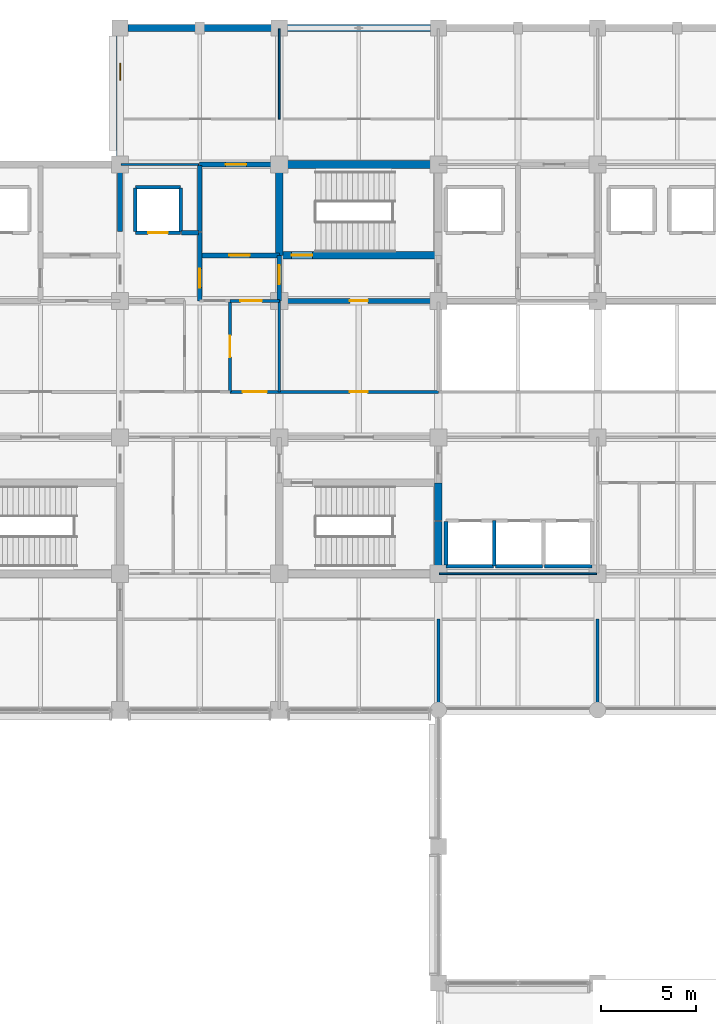
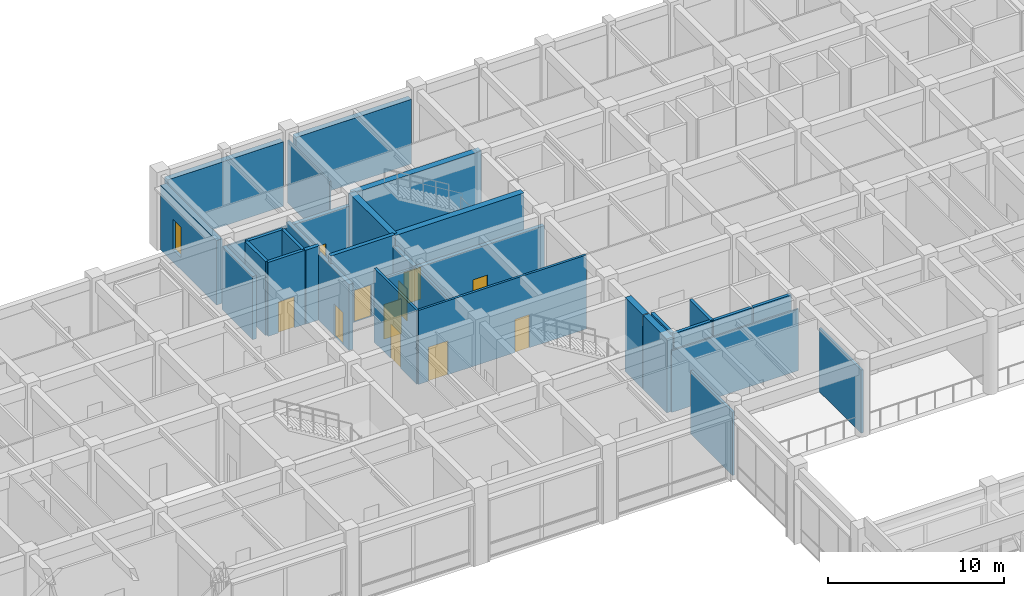
# One storey, part 45 of 68: 34 walls, 11 doors, 1 window, 12 openings.
"""IFC4 building model written with IfcOpenShell, lengths in metres."""

from ifc_helpers import new_model, si_unit, direction, frame, frame_2d, origin, place, context, subcontext, project, spatial, rectangle, extrude, material, layer, layer_set, type_object, element, fill, save


model = new_model("IFC4")

# Units and contexts
model_context = context("Model", 3, precision=1e-05, world=origin(), true_north=direction((0.0, 1.0)))
body_context = subcontext(model_context, "Body", "Model", "MODEL_VIEW")
ifc_project = project(units=[si_unit("LENGTHUNIT", "METRE"), si_unit("AREAUNIT", "SQUARE_METRE"), si_unit("VOLUMEUNIT", "CUBIC_METRE"), si_unit("PLANEANGLEUNIT", "RADIAN"), si_unit("MASSUNIT", "GRAM", prefix="KILO")], contexts=[model_context])

# Site, building, storey
site_placement = place(None, origin())
site = spatial("IfcSite", under=ifc_project, at=site_placement, CompositionType="ELEMENT")
building_placement = place(site_placement, origin())
building = spatial("IfcBuilding", under=site, at=building_placement, Name="Chengyuan Square Courthouse", CompositionType="ELEMENT")
storey_placement = place(building_placement, frame((0.0, 0.0, 5.39990234375)))
storey = spatial("IfcBuildingStorey", under=building, at=storey_placement, Name="L02", CompositionType="ELEMENT", Elevation=5.39990234375)

# Wall
ifc_material_1 = material(Name="Concrete C40", Category="concrete")
ifc_layer_1 = layer(ifc_material_1, 0.3798828125)
ifc_layer_set_1 = layer_set([ifc_layer_1], Name="Concrete C40")
wall_type_1 = type_object("IfcWallType", Name="WL-EW1", PredefinedType="STANDARD", material=ifc_layer_set_1)
wall_1_placement = place(storey_placement, frame((50.820068359375, 115.199951171875, 0.0), z_axis=(0.0, 0.0, 1.0), x_axis=(1.0, 0.0, 0.0)))
element("IfcWall", 1, at=wall_1_placement, inside=storey, type_object=wall_type_1, Name="Exterior Wall WL-L02-E227", PredefinedType="STANDARD", context=body_context, shape_type="SweptSolid", body=[
    extrude(rectangle(XDim=7.559814453125, YDim=0.3798828125, at=frame_2d((3.77978515625, 0.0))), origin(), (0.0, 0.0, 1.0), 4.47021484375),
])

# Wall, opening, window
wall_2_placement = place(storey_placement, frame((50.39990234375, 108.445068359375, 0.0), z_axis=(0.0, 0.0, 1.0), x_axis=(0.0, 1.0, 0.0)))
wall_2 = element("IfcWall", 2, at=wall_2_placement, inside=storey, type_object=wall_type_1, Name="Exterior Wall WL-L02-E228", PredefinedType="STANDARD", context=body_context, shape_type="SweptSolid", body=[
    extrude(rectangle(XDim=6.3349609375, YDim=0.3798828125, at=frame_2d((3.16748046875, 0.0))), origin(), (0.0, 0.0, 1.0), 4.47021484375),
])
opening_1_placement = place(wall_2_placement, frame((4.0048828125, 0.0, 0.85009765625)))
opening_1 = element("IfcOpeningElement", 3, at=opening_1_placement, cuts=wall_2, Name="Opening WN-039", PredefinedType="OPENING", context=body_context, shape_type="SweptSolid", body=[
    extrude(rectangle(XDim=0.89990234375, YDim=2.1201171875, at=frame_2d((0.449951171875, 1.06005859375))), frame((0.0, 0.201904296875, 0.0), z_axis=(0.0, -1.0, 0.0), x_axis=(1.0, 0.0, 0.0)), (0.0, 0.0, 1.0), 0.40380859375),
])
ifc_material_2 = material(Name="Thermally Broken Aluminium Triple Low-E Window", Category="aluminium")
window_type = type_object("IfcWindowType", Name="WT-06", PartitioningType="SINGLE_PANEL", PredefinedType="WINDOW", material=ifc_material_2)
window_placement = place(opening_1_placement, origin())
window = element("IfcWindow", 4, at=window_placement, inside=storey, type_object=window_type, Name="Facade Window WN-039", OverallHeight=2.1201171875, OverallWidth=0.89990234375, PartitioningType="SINGLE_PANEL", PredefinedType="WINDOW", context=body_context, shape_type="SweptSolid", body=[
    extrude(rectangle(XDim=0.89990234375, YDim=2.1201171875, at=frame_2d((0.449951171875, 1.06005859375))), frame((0.0, 0.030029296875, 0.0), z_axis=(0.0, -1.0, 0.0), x_axis=(1.0, 0.0, 0.0)), (0.0, 0.0, 1.0), 0.06005859375),
])
fill(opening_1, window)

# Wall
wall_3_placement = place(storey_placement, frame((59.219970703125, 115.199951171875, 0.0), z_axis=(0.0, 0.0, 1.0), x_axis=(1.0, 0.0, 0.0)))
element("IfcWall", 5, at=wall_3_placement, inside=storey, type_object=wall_type_1, Name="Exterior Wall WL-L02-E229", PredefinedType="STANDARD", context=body_context, shape_type="SweptSolid", body=[
    extrude(rectangle(XDim=7.56005859375, YDim=0.3798828125, at=frame_2d((3.780029296875, 0.0))), origin(), (0.0, 0.0, 1.0), 4.47021484375),
])

# Wall, opening, door
ifc_layer_2 = layer(ifc_material_1, 0.25)
ifc_layer_set_2 = layer_set([ifc_layer_2], Name="Concrete C40")
wall_type_2 = type_object("IfcWallType", Name="WL-FW1", PredefinedType="STANDARD", material=ifc_layer_set_2)
wall_4_placement = place(storey_placement, frame((58.800048828125, 100.800048828125, 0.0), z_axis=(0.0, 0.0, 1.0), x_axis=(1.0, 0.0, 0.0)))
wall_4 = element("IfcWall", 6, at=wall_4_placement, inside=storey, type_object=wall_type_2, Name="Interior Wall WL-L02-I1135", PredefinedType="STANDARD", context=body_context, shape_type="SweptSolid", body=[
    extrude(rectangle(XDim=8.39990234375, YDim=0.25, at=frame_2d((4.199951171875, 0.0))), origin(), (0.0, 0.0, 1.0), 4.27001953125),
])
opening_2_placement = place(wall_4_placement, frame((3.72509765625, 0.0, 0.0)))
opening_2 = element("IfcOpeningElement", 7, at=opening_2_placement, cuts=wall_4, Name="Opening DR-1011", PredefinedType="OPENING", context=body_context, shape_type="SweptSolid", body=[
    extrude(rectangle(XDim=0.949951171875, YDim=2.14990234375, at=frame_2d((0.47509765625, 1.074951171875))), frame((0.0, 0.136962890625, 0.0), z_axis=(0.0, -1.0, 0.0), x_axis=(1.0, 0.0, 0.0)), (0.0, 0.0, 1.0), 0.27392578125),
])
ifc_material_3 = material(Name="Steel Q235B Fire Door", Category="steel")
door_type_1 = type_object("IfcDoorType", Name="DT-12", OperationType="NOTDEFINED", PredefinedType="DOOR", material=ifc_material_3)
door_1_placement = place(opening_2_placement, origin())
door_1 = element("IfcDoor", 8, at=door_1_placement, inside=storey, type_object=door_type_1, Name="Interior Door DR-1011", OperationType="SINGLE_SWING_LEFT", OverallHeight=2.14990234375, OverallWidth=0.949951171875, PredefinedType="DOOR", context=body_context, shape_type="SweptSolid", body=[
    extrude(rectangle(XDim=0.949951171875, YDim=2.14990234375, at=frame_2d((0.47509765625, 1.074951171875))), frame((0.0, 0.02490234375, 0.0), z_axis=(0.0, -1.0, 0.0), x_axis=(1.0, 0.0, 0.0)), (0.0, 0.0, 1.0), 0.050048828125),
])
fill(opening_2, door_1)

wall_5_placement = place(storey_placement, frame((54.60009765625, 103.199951171875, 0.0), z_axis=(0.0, 0.0, 1.0), x_axis=(1.0, 0.0, 0.0)))
wall_5 = element("IfcWall", 9, at=wall_5_placement, inside=storey, type_object=wall_type_2, Name="Interior Wall WL-L02-I1154", PredefinedType="STANDARD", context=body_context, shape_type="SweptSolid", body=[
    extrude(rectangle(XDim=4.199951171875, YDim=0.25, at=frame_2d((2.10009765625, 0.0))), origin(), (0.0, 0.0, 1.0), 5.1201171875),
])
opening_3_placement = place(wall_5_placement, frame((1.550048828125, 0.0, 0.0)))
opening_3 = element("IfcOpeningElement", 10, at=opening_3_placement, cuts=wall_5, Name="Opening DR-1066", PredefinedType="OPENING", context=body_context, shape_type="SweptSolid", body=[
    extrude(rectangle(XDim=1.10009765625, YDim=2.199951171875, at=frame_2d((0.550048828125, 1.10009765625))), frame((0.0, 0.136962890625, 0.0), z_axis=(0.0, -1.0, 0.0), x_axis=(1.0, 0.0, 0.0)), (0.0, 0.0, 1.0), 0.27392578125),
])
door_type_2 = type_object("IfcDoorType", Name="DT-10", OperationType="NOTDEFINED", PredefinedType="DOOR", material=ifc_material_3)
door_2_placement = place(opening_3_placement, origin())
door_2 = element("IfcDoor", 11, at=door_2_placement, inside=storey, type_object=door_type_2, Name="Interior Door DR-1066", OperationType="SINGLE_SWING_LEFT", OverallHeight=2.199951171875, OverallWidth=1.10009765625, PredefinedType="DOOR", context=body_context, shape_type="SweptSolid", body=[
    extrude(rectangle(XDim=1.10009765625, YDim=2.199951171875, at=frame_2d((0.550048828125, 1.10009765625))), frame((0.0, 0.02490234375, 0.0), z_axis=(0.0, -1.0, 0.0), x_axis=(1.0, 0.0, 0.0)), (0.0, 0.0, 1.0), 0.050048828125),
])
fill(opening_3, door_2)

# Wall
wall_6_placement = place(storey_placement, frame((53.64990234375, 104.39990234375, 0.0), z_axis=(0.0, 0.0, 1.0), x_axis=(1.0, 0.0, 0.0)))
element("IfcWall", 12, at=wall_6_placement, inside=storey, type_object=wall_type_2, Name="Interior Wall WL-L02-I1164", PredefinedType="STANDARD", context=body_context, shape_type="SweptSolid", body=[
    extrude(rectangle(XDim=0.900146484375, YDim=0.25, at=frame_2d((0.4501953125, 0.0))), origin(), (0.0, 0.0, 1.0), 5.1201171875),
])

# Wall, opening, door
wall_7_placement = place(storey_placement, frame((54.60009765625, 108.0, 0.0), z_axis=(0.0, 0.0, 1.0), x_axis=(1.0, 0.0, 0.0)))
wall_7 = element("IfcWall", 13, at=wall_7_placement, inside=storey, type_object=wall_type_2, Name="Interior Wall WL-L02-I1186", PredefinedType="STANDARD", context=body_context, shape_type="SweptSolid", body=[
    extrude(rectangle(XDim=4.199951171875, YDim=0.25, at=frame_2d((2.10009765625, 0.0))), origin(), (0.0, 0.0, 1.0), 4.27001953125),
])
opening_4_placement = place(wall_7_placement, frame((1.364990234375, 0.0, 0.0)))
opening_4 = element("IfcOpeningElement", 14, at=opening_4_placement, cuts=wall_7, Name="Opening DR-1069", PredefinedType="OPENING", context=body_context, shape_type="SweptSolid", body=[
    extrude(rectangle(XDim=1.10009765625, YDim=2.199951171875, at=frame_2d((0.550048828125, 1.10009765625))), frame((0.0, 0.136962890625, 0.0), z_axis=(0.0, -1.0, 0.0), x_axis=(1.0, 0.0, 0.0)), (0.0, 0.0, 1.0), 0.27392578125),
])
door_3_placement = place(opening_4_placement, origin())
door_3 = element("IfcDoor", 15, at=door_3_placement, inside=storey, type_object=door_type_2, Name="Interior Door DR-1069", OperationType="SINGLE_SWING_RIGHT", OverallHeight=2.199951171875, OverallWidth=1.10009765625, PredefinedType="DOOR", context=body_context, shape_type="SweptSolid", body=[
    extrude(rectangle(XDim=1.10009765625, YDim=2.199951171875, at=frame_2d((0.550048828125, 1.10009765625))), frame((0.0, 0.02490234375, 0.0), z_axis=(0.0, -1.0, 0.0), x_axis=(1.0, 0.0, 0.0)), (0.0, 0.0, 1.0), 0.050048828125),
])
fill(opening_4, door_3)

# Wall
wall_8_placement = place(storey_placement, frame((50.39990234375, 104.449951171875, 0.0), z_axis=(0.0, 0.0, 1.0), x_axis=(0.0, 1.0, 0.0)))
element("IfcWall", 16, at=wall_8_placement, inside=storey, type_object=wall_type_2, Name="Interior Wall WL-L02-I1246", PredefinedType="STANDARD", context=body_context, shape_type="SweptSolid", body=[
    extrude(rectangle(XDim=3.4599609375, YDim=0.25, at=frame_2d((1.72998046875, 0.0))), origin(), (0.0, 0.0, 1.0), 4.3701171875),
])

# Wall, opening, door
wall_9_placement = place(storey_placement, frame((54.60009765625, 100.800048828125, 0.0), z_axis=(0.0, 0.0, 1.0), x_axis=(0.0, 1.0, 0.0)))
wall_9 = element("IfcWall", 17, at=wall_9_placement, inside=storey, type_object=wall_type_2, Name="Interior Wall WL-L02-I1251", PredefinedType="STANDARD", context=body_context, shape_type="SweptSolid", body=[
    extrude(rectangle(XDim=3.599853515625, YDim=0.25, at=frame_2d((1.7998046875, 0.0))), origin(), (0.0, 0.0, 1.0), 4.570068359375),
])
opening_5_placement = place(wall_9_placement, frame((0.699951171875, 0.0, 0.0)))
opening_5 = element("IfcOpeningElement", 18, at=opening_5_placement, cuts=wall_9, Name="Opening DR-1064", PredefinedType="OPENING", context=body_context, shape_type="SweptSolid", body=[
    extrude(rectangle(XDim=1.0, YDim=2.199951171875, at=frame_2d((0.5, 1.10009765625))), frame((0.0, 0.136962890625, 0.0), z_axis=(0.0, -1.0, 0.0), x_axis=(1.0, 0.0, 0.0)), (0.0, 0.0, 1.0), 0.27392578125),
])
door_type_3 = type_object("IfcDoorType", Name="DT-11", OperationType="NOTDEFINED", PredefinedType="DOOR", material=ifc_material_3)
door_4_placement = place(opening_5_placement, origin())
door_4 = element("IfcDoor", 19, at=door_4_placement, inside=storey, type_object=door_type_3, Name="Interior Door DR-1064", OperationType="SINGLE_SWING_LEFT", OverallHeight=2.199951171875, OverallWidth=1.0, PredefinedType="DOOR", context=body_context, shape_type="SweptSolid", body=[
    extrude(rectangle(XDim=1.0, YDim=2.199951171875, at=frame_2d((0.5, 1.10009765625))), frame((0.0, 0.02490234375, 0.0), z_axis=(0.0, -1.0, 0.0), x_axis=(1.0, 0.0, 0.0)), (0.0, 0.0, 1.0), 0.050048828125),
])
fill(opening_5, door_4)

# Wall
wall_10_placement = place(storey_placement, frame((54.60009765625, 104.449951171875, 0.0), z_axis=(0.0, 0.0, 1.0), x_axis=(0.0, 1.0, 0.0)))
element("IfcWall", 20, at=wall_10_placement, inside=storey, type_object=wall_type_2, Name="Interior Wall WL-L02-I1252", PredefinedType="STANDARD", context=body_context, shape_type="SweptSolid", body=[
    extrude(rectangle(XDim=3.5, YDim=0.25, at=frame_2d((1.75, 0.0))), origin(), (0.0, 0.0, 1.0), 4.570068359375),
])

# Wall, opening, door
wall_11_placement = place(storey_placement, frame((58.800048828125, 100.800048828125, 0.0), z_axis=(0.0, 0.0, 1.0), x_axis=(0.0, 1.0, 0.0)))
wall_11 = element("IfcWall", 21, at=wall_11_placement, inside=storey, type_object=wall_type_2, Name="Interior Wall WL-L02-I1259", PredefinedType="STANDARD", context=body_context, shape_type="SweptSolid", body=[
    extrude(rectangle(XDim=2.39990234375, YDim=0.25, at=frame_2d((1.199951171875, 0.0))), origin(), (0.0, 0.0, 1.0), 4.3701171875),
])
opening_6_placement = place(wall_11_placement, frame((0.885009765625, 0.0, 0.0)))
opening_6 = element("IfcOpeningElement", 22, at=opening_6_placement, cuts=wall_11, Name="Opening DR-1010", PredefinedType="OPENING", context=body_context, shape_type="SweptSolid", body=[
    extrude(rectangle(XDim=1.0, YDim=2.199951171875, at=frame_2d((0.5, 1.10009765625))), frame((0.0, 0.136962890625, 0.0), z_axis=(0.0, -1.0, 0.0), x_axis=(1.0, 0.0, 0.0)), (0.0, 0.0, 1.0), 0.27392578125),
])
door_5_placement = place(opening_6_placement, origin())
door_5 = element("IfcDoor", 23, at=door_5_placement, inside=storey, type_object=door_type_3, Name="Interior Door DR-1010", OperationType="SINGLE_SWING_RIGHT", OverallHeight=2.199951171875, OverallWidth=1.0, PredefinedType="DOOR", context=body_context, shape_type="SweptSolid", body=[
    extrude(rectangle(XDim=1.0, YDim=2.199951171875, at=frame_2d((0.5, 1.10009765625))), frame((0.0, 0.02490234375, 0.0), z_axis=(0.0, -1.0, 0.0), x_axis=(1.0, 0.0, 0.0)), (0.0, 0.0, 1.0), 0.050048828125),
])
fill(opening_6, door_5)

# Wall, openings, doors
ifc_material_4 = material(Name="Deliberation Room Sound-Insulated Partition")
ifc_layer_3 = layer(ifc_material_4, 0.14990234375)
ifc_layer_set_3 = layer_set([ifc_layer_3], Name="Deliberation Room Sound-Insulated Partition")
wall_type_3 = type_object("IfcWallType", Name="WL-PT3", PredefinedType="STANDARD", material=ifc_layer_set_3)
wall_12_placement = place(storey_placement, frame((56.199951171875, 96.0, 0.0), z_axis=(0.0, 0.0, 1.0), x_axis=(1.0, 0.0, 0.0)))
wall_12 = element("IfcWall", 24, at=wall_12_placement, inside=storey, type_object=wall_type_3, Name="Interior Wall WL-L02-I1116", PredefinedType="STANDARD", context=body_context, shape_type="SweptSolid", body=[
    extrude(rectangle(XDim=11.0, YDim=0.14990234375, at=frame_2d((5.5, 0.0))), origin(), (0.0, 0.0, 1.0), 5.1201171875),
])
opening_7_placement = place(wall_12_placement, frame((0.659912109375, 0.0, 0.0)))
opening_7 = element("IfcOpeningElement", 25, at=opening_7_placement, cuts=wall_12, Name="Opening DR-1131", PredefinedType="OPENING", context=body_context, shape_type="SweptSolid", body=[
    extrude(rectangle(XDim=1.280029296875, YDim=2.35009765625, at=frame_2d((0.64013671875, 1.175048828125))), frame((0.0, 0.0869140625, 0.0), z_axis=(0.0, -1.0, 0.0), x_axis=(1.0, 0.0, 0.0)), (0.0, 0.0, 1.0), 0.173828125),
])
opening_8_placement = place(wall_12_placement, frame((6.330078125, 0.0, 0.0)))
opening_8 = element("IfcOpeningElement", 26, at=opening_8_placement, cuts=wall_12, Name="Opening DR-1132", PredefinedType="OPENING", context=body_context, shape_type="SweptSolid", body=[
    extrude(rectangle(XDim=0.93994140625, YDim=2.300048828125, at=frame_2d((0.469970703125, 1.14990234375))), frame((0.0, 0.0869140625, 0.0), z_axis=(0.0, -1.0, 0.0), x_axis=(1.0, 0.0, 0.0)), (0.0, 0.0, 1.0), 0.173828125),
])
ifc_material_5 = material(Name="Acoustic Solid-Core Timber Door", Category="wood")
door_type_4 = type_object("IfcDoorType", Name="DT-38", OperationType="NOTDEFINED", PredefinedType="DOOR", material=ifc_material_5)
door_6_placement = place(opening_7_placement, origin())
door_6 = element("IfcDoor", 27, at=door_6_placement, inside=storey, type_object=door_type_4, Name="Interior Door DR-1131", OperationType="SINGLE_SWING_LEFT", OverallHeight=2.35009765625, OverallWidth=1.280029296875, PredefinedType="DOOR", context=body_context, shape_type="SweptSolid", body=[
    extrude(rectangle(XDim=1.280029296875, YDim=2.35009765625, at=frame_2d((0.64013671875, 1.175048828125))), frame((0.0, 0.02490234375, 0.0), z_axis=(0.0, -1.0, 0.0), x_axis=(1.0, 0.0, 0.0)), (0.0, 0.0, 1.0), 0.050048828125),
])
fill(opening_7, door_6)
door_type_5 = type_object("IfcDoorType", Name="DT-39", OperationType="NOTDEFINED", PredefinedType="DOOR", material=ifc_material_5)
door_7_placement = place(opening_8_placement, origin())
door_7 = element("IfcDoor", 28, at=door_7_placement, inside=storey, type_object=door_type_5, Name="Interior Door DR-1132", OperationType="SINGLE_SWING_RIGHT", OverallHeight=2.300048828125, OverallWidth=0.93994140625, PredefinedType="DOOR", context=body_context, shape_type="SweptSolid", body=[
    extrude(rectangle(XDim=0.93994140625, YDim=2.300048828125, at=frame_2d((0.469970703125, 1.14990234375))), frame((0.0, 0.02490234375, 0.0), z_axis=(0.0, -1.0, 0.0), x_axis=(1.0, 0.0, 0.0)), (0.0, 0.0, 1.0), 0.050048828125),
])
fill(opening_8, door_7)

# Wall, opening, door
wall_13_placement = place(storey_placement, frame((56.199951171875, 100.800048828125, 0.0), z_axis=(0.0, 0.0, 1.0), x_axis=(1.0, 0.0, 0.0)))
wall_13 = element("IfcWall", 29, at=wall_13_placement, inside=storey, type_object=wall_type_3, Name="Interior Wall WL-L02-I1134", PredefinedType="STANDARD", context=body_context, shape_type="SweptSolid", body=[
    extrude(rectangle(XDim=2.60009765625, YDim=0.14990234375, at=frame_2d((1.300048828125, 0.0))), origin(), (0.0, 0.0, 1.0), 4.27001953125),
])
opening_9_placement = place(wall_13_placement, frame((0.544921875, 0.0, 0.0)))
opening_9 = element("IfcOpeningElement", 30, at=opening_9_placement, cuts=wall_13, Name="Opening DR-1068", PredefinedType="OPENING", context=body_context, shape_type="SweptSolid", body=[
    extrude(rectangle(XDim=1.139892578125, YDim=2.39990234375, at=frame_2d((0.56982421875, 1.199951171875))), frame((0.0, 0.0869140625, 0.0), z_axis=(0.0, -1.0, 0.0), x_axis=(1.0, 0.0, 0.0)), (0.0, 0.0, 1.0), 0.173828125),
])
door_type_6 = type_object("IfcDoorType", Name="DT-43", OperationType="NOTDEFINED", PredefinedType="DOOR", material=ifc_material_5)
door_8_placement = place(opening_9_placement, origin())
door_8 = element("IfcDoor", 31, at=door_8_placement, inside=storey, type_object=door_type_6, Name="Interior Door DR-1068", OperationType="SINGLE_SWING_LEFT", OverallHeight=2.39990234375, OverallWidth=1.139892578125, PredefinedType="DOOR", context=body_context, shape_type="SweptSolid", body=[
    extrude(rectangle(XDim=1.139892578125, YDim=2.39990234375, at=frame_2d((0.56982421875, 1.199951171875))), frame((0.0, 0.02490234375, 0.0), z_axis=(0.0, -1.0, 0.0), x_axis=(1.0, 0.0, 0.0)), (0.0, 0.0, 1.0), 0.050048828125),
])
fill(opening_9, door_8)

wall_14_placement = place(storey_placement, frame((56.199951171875, 96.0, 0.0), z_axis=(0.0, 0.0, 1.0), x_axis=(0.0, 1.0, 0.0)))
wall_14 = element("IfcWall", 32, at=wall_14_placement, inside=storey, type_object=wall_type_3, Name="Interior Wall WL-L02-I1254", PredefinedType="STANDARD", context=body_context, shape_type="SweptSolid", body=[
    extrude(rectangle(XDim=4.800048828125, YDim=0.14990234375, at=frame_2d((2.39990234375, 0.0))), origin(), (0.0, 0.0, 1.0), 5.1201171875),
])
opening_10_placement = place(wall_14_placement, frame((1.830078125, 0.0, 0.0)))
opening_10 = element("IfcOpeningElement", 33, at=opening_10_placement, cuts=wall_14, Name="Opening DR-1170", PredefinedType="OPENING", context=body_context, shape_type="SweptSolid", body=[
    extrude(rectangle(XDim=1.139892578125, YDim=2.39990234375, at=frame_2d((0.56982421875, 1.199951171875))), frame((0.0, 0.0869140625, 0.0), z_axis=(0.0, -1.0, 0.0), x_axis=(1.0, 0.0, 0.0)), (0.0, 0.0, 1.0), 0.173828125),
])
door_9_placement = place(opening_10_placement, origin())
door_9 = element("IfcDoor", 34, at=door_9_placement, inside=storey, type_object=door_type_6, Name="Interior Door DR-1170", OperationType="SINGLE_SWING_LEFT", OverallHeight=2.39990234375, OverallWidth=1.139892578125, PredefinedType="DOOR", context=body_context, shape_type="SweptSolid", body=[
    extrude(rectangle(XDim=1.139892578125, YDim=2.39990234375, at=frame_2d((0.56982421875, 1.199951171875))), frame((0.0, 0.02490234375, 0.0), z_axis=(0.0, -1.0, 0.0), x_axis=(1.0, 0.0, 0.0)), (0.0, 0.0, 1.0), 0.050048828125),
])
fill(opening_10, door_9)

# Walls
wall_15_placement = place(storey_placement, frame((58.800048828125, 96.0, 0.0), z_axis=(0.0, 0.0, 1.0), x_axis=(0.0, 1.0, 0.0)))
element("IfcWall", 35, at=wall_15_placement, inside=storey, type_object=wall_type_3, Name="Interior Wall WL-L02-I1258", PredefinedType="STANDARD", context=body_context, shape_type="SweptSolid", body=[
    extrude(rectangle(XDim=4.800048828125, YDim=0.14990234375, at=frame_2d((2.39990234375, 0.0))), origin(), (0.0, 0.0, 1.0), 4.3701171875),
])
wall_16_placement = place(storey_placement, frame((67.199951171875, 79.239990234375, 0.0), z_axis=(0.0, 0.0, 1.0), x_axis=(0.0, 1.0, 0.0)))
element("IfcWall", 36, at=wall_16_placement, inside=storey, type_object=wall_type_3, Name="Interior Wall WL-L02-I1262", PredefinedType="STANDARD", context=body_context, shape_type="SweptSolid", body=[
    extrude(rectangle(XDim=4.760009765625, YDim=0.14990234375, at=frame_2d((2.3798828125, 0.0))), origin(), (0.0, 0.0, 1.0), 4.3701171875),
])
wall_17_placement = place(storey_placement, frame((75.60009765625, 79.199951171875, 0.0), z_axis=(0.0, 0.0, 1.0), x_axis=(0.0, 1.0, 0.0)))
element("IfcWall", 37, at=wall_17_placement, inside=storey, type_object=wall_type_3, Name="Interior Wall WL-L02-I1279", PredefinedType="STANDARD", context=body_context, shape_type="SweptSolid", body=[
    extrude(rectangle(XDim=4.800048828125, YDim=0.14990234375, at=frame_2d((2.39990234375, 0.0))), origin(), (0.0, 0.0, 1.0), 4.3701171875),
])
ifc_material_6 = material(Name="Gypsum Plasterboard Acoustic Stud Partition")
ifc_layer_4 = layer(ifc_material_6, 0.10009765625)
ifc_layer_set_4 = layer_set([ifc_layer_4], Name="Gypsum Plasterboard Acoustic Stud Partition")
wall_type_4 = type_object("IfcWallType", Name="WL-PT6", PredefinedType="STANDARD", material=ifc_layer_set_4)
wall_18_placement = place(storey_placement, frame((67.25, 86.39990234375, 0.0), z_axis=(0.0, 0.0, 1.0), x_axis=(1.0, 0.0, 0.0)))
element("IfcWall", 38, at=wall_18_placement, inside=storey, type_object=wall_type_4, Name="Interior Wall WL-L02-I1073", PredefinedType="STANDARD", context=body_context, shape_type="SweptSolid", body=[
    extrude(rectangle(XDim=8.300048828125, YDim=0.10009765625, at=frame_2d((4.14990234375, 0.0))), origin(), (0.0, 0.0, 1.0), 4.27001953125),
])
wall_19_placement = place(storey_placement, frame((50.449951171875, 108.0, 0.0), z_axis=(0.0, 0.0, 1.0), x_axis=(1.0, 0.0, 0.0)))
element("IfcWall", 39, at=wall_19_placement, inside=storey, type_object=wall_type_4, Name="Interior Wall WL-L02-I1185", PredefinedType="STANDARD", context=body_context, shape_type="SweptSolid", body=[
    extrude(rectangle(XDim=4.10009765625, YDim=0.10009765625, at=frame_2d((2.050048828125, 0.0))), origin(), (0.0, 0.0, 1.0), 4.27001953125),
])
wall_20_placement = place(storey_placement, frame((58.800048828125, 110.39990234375, 0.0), z_axis=(0.0, 0.0, 1.0), x_axis=(0.0, 1.0, 0.0)))
element("IfcWall", 40, at=wall_20_placement, inside=storey, type_object=wall_type_4, Name="Interior Wall WL-L02-I1261", PredefinedType="STANDARD", context=body_context, shape_type="SweptSolid", body=[
    extrude(rectangle(XDim=4.760009765625, YDim=0.10009765625, at=frame_2d((2.3798828125, 0.0))), origin(), (0.0, 0.0, 1.0), 4.3701171875),
])
ifc_material_7 = material(Name="Reinforced Masonry Shaft Enclosure", Category="masonry")
ifc_layer_5 = layer(ifc_material_7, 0.199951171875)
ifc_layer_set_5 = layer_set([ifc_layer_5], Name="Reinforced Masonry Shaft Enclosure")
wall_type_5 = type_object("IfcWallType", Name="WL-SH1", PredefinedType="STANDARD", material=ifc_layer_set_5)
for number, where, z_axis, x_axis, name in (
    (41, (67.60009765625, 86.800048828125, 0.0), (0.0, 0.0, 1.0), (1.0, 0.0, 0.0), "Interior Wall WL-L02-I1083"),
    (42, (70.199951171875, 86.800048828125, 0.0), (0.0, 0.0, 1.0), (1.0, 0.0, 0.0), "Interior Wall WL-L02-I1084"),
    (43, (72.800048828125, 86.800048828125, 0.0), (0.0, 0.0, 1.0), (1.0, 0.0, 0.0), "Interior Wall WL-L02-I1085"),
):
    element("IfcWall", number, at=place(storey_placement, frame(where, z_axis=z_axis, x_axis=x_axis)), inside=storey, type_object=wall_type_5, Name=name, PredefinedType="STANDARD", context=body_context, shape_type="SweptSolid", body=[
        extrude(rectangle(XDim=2.5, YDim=0.199951171875, at=frame_2d((1.25, 0.0))), origin(), (0.0, 0.0, 1.0), 5.1201171875),
    ])

# Wall, opening, door
wall_21_placement = place(storey_placement, frame((51.199951171875, 104.39990234375, 0.0), z_axis=(0.0, 0.0, 1.0), x_axis=(1.0, 0.0, 0.0)))
wall_21 = element("IfcWall", 44, at=wall_21_placement, inside=storey, type_object=wall_type_5, Name="Interior Wall WL-L02-I1163", PredefinedType="STANDARD", context=body_context, shape_type="SweptSolid", body=[
    extrude(rectangle(XDim=2.400146484375, YDim=0.199951171875, at=frame_2d((1.2001953125, 0.0))), origin(), (0.0, 0.0, 1.0), 5.1201171875),
])
opening_11_placement = place(wall_21_placement, frame((0.675048828125, 0.0, 0.0)))
opening_11 = element("IfcOpeningElement", 45, at=opening_11_placement, cuts=wall_21, Name="Opening LD-051", PredefinedType="OPENING", context=body_context, shape_type="SweptSolid", body=[
    extrude(rectangle(XDim=1.050048828125, YDim=2.14990234375, at=frame_2d((0.52490234375, 1.074951171875))), frame((0.0, 0.112060546875, 0.0), z_axis=(0.0, -1.0, 0.0), x_axis=(1.0, 0.0, 0.0)), (0.0, 0.0, 1.0), 0.223876953125),
])
ifc_material_8 = material(Name="Stainless Steel S30408 Lift Landing Door", Category="steel")
door_type_7 = type_object("IfcDoorType", Name="DT-08", OperationType="DOUBLE_DOOR_SLIDING", PredefinedType="DOOR", material=ifc_material_8)
door_10_placement = place(opening_11_placement, origin())
door_10 = element("IfcDoor", 46, at=door_10_placement, inside=storey, type_object=door_type_7, Name="Lift Landing Door LF-C1 L02", OperationType="DOUBLE_DOOR_SLIDING", OverallHeight=2.14990234375, OverallWidth=1.050048828125, PredefinedType="DOOR", context=body_context, shape_type="SweptSolid", body=[
    extrude(rectangle(XDim=1.050048828125, YDim=2.14990234375, at=frame_2d((0.52490234375, 1.074951171875))), frame((0.0, 0.02490234375, 0.0), z_axis=(0.0, -1.0, 0.0), x_axis=(1.0, 0.0, 0.0)), (0.0, 0.0, 1.0), 0.050048828125),
])
fill(opening_11, door_10)

# Walls
wall_22_placement = place(storey_placement, frame((51.199951171875, 106.800048828125, 0.0), z_axis=(0.0, 0.0, 1.0), x_axis=(1.0, 0.0, 0.0)))
element("IfcWall", 47, at=wall_22_placement, inside=storey, type_object=wall_type_5, Name="Interior Wall WL-L02-I1176", PredefinedType="STANDARD", context=body_context, shape_type="SweptSolid", body=[
    extrude(rectangle(XDim=2.400146484375, YDim=0.199951171875, at=frame_2d((1.2001953125, 0.0))), origin(), (0.0, 0.0, 1.0), 5.1201171875),
])
for number, where, z_axis, x_axis, name in (
    (48, (51.199951171875, 104.449951171875, 0.0), (0.0, 0.0, 1.0), (0.0, 1.0, 0.0), "Interior Wall WL-L02-I1247"),
    (49, (53.60009765625, 104.449951171875, 0.0), (0.0, 0.0, 1.0), (0.0, 1.0, 0.0), "Interior Wall WL-L02-I1249"),
):
    element("IfcWall", number, at=place(storey_placement, frame(where, z_axis=z_axis, x_axis=x_axis)), inside=storey, type_object=wall_type_5, Name=name, PredefinedType="STANDARD", context=body_context, shape_type="SweptSolid", body=[
        extrude(rectangle(XDim=2.300048828125, YDim=0.199951171875, at=frame_2d((1.14990234375, 0.0))), origin(), (0.0, 0.0, 1.0), 5.1201171875),
    ])
wall_23_placement = place(storey_placement, frame((67.60009765625, 86.85009765625, 0.0), z_axis=(0.0, 0.0, 1.0), x_axis=(0.0, 1.0, 0.0)))
element("IfcWall", 50, at=wall_23_placement, inside=storey, type_object=wall_type_5, Name="Interior Wall WL-L02-I1271", PredefinedType="STANDARD", context=body_context, shape_type="SweptSolid", body=[
    extrude(rectangle(XDim=2.2998046875, YDim=0.199951171875, at=frame_2d((1.14990234375, 0.0))), origin(), (0.0, 0.0, 1.0), 5.1201171875),
])
wall_24_placement = place(storey_placement, frame((70.14990234375, 86.800048828125, 0.0), z_axis=(0.0, 0.0, 1.0), x_axis=(0.0, 1.0, 0.0)))
element("IfcWall", 51, at=wall_24_placement, inside=storey, type_object=wall_type_5, Name="Interior Wall WL-L02-I1273", PredefinedType="STANDARD", context=body_context, shape_type="SweptSolid", body=[
    extrude(rectangle(XDim=2.39990234375, YDim=0.199951171875, at=frame_2d((1.199951171875, 0.0))), origin(), (0.0, 0.0, 1.0), 5.1201171875),
])

# Wall, opening, door
ifc_material_9 = material(Name="Concrete C50", Category="concrete")
ifc_layer_6 = layer(ifc_material_9, 0.39990234375)
ifc_layer_set_6 = layer_set([ifc_layer_6], Name="Concrete C50")
wall_type_6 = type_object("IfcWallType", Name="WL-SW1", PredefinedType="SHEAR", material=ifc_layer_set_6)
wall_25_placement = place(storey_placement, frame((58.800048828125, 103.199951171875, 0.0), z_axis=(0.0, 0.0, 1.0), x_axis=(1.0, 0.0, 0.0)))
wall_25 = element("IfcWall", 52, at=wall_25_placement, inside=storey, type_object=wall_type_6, Name="Interior Wall WL-L02-I1155", PredefinedType="SHEAR", context=body_context, shape_type="SweptSolid", body=[
    extrude(rectangle(XDim=8.39990234375, YDim=0.39990234375, at=frame_2d((4.199951171875, 0.0))), origin(), (0.0, 0.0, 1.0), 5.1201171875),
])
opening_12_placement = place(wall_25_placement, frame((0.64990234375, 0.0, 0.0)))
opening_12 = element("IfcOpeningElement", 53, at=opening_12_placement, cuts=wall_25, Name="Opening DR-999", PredefinedType="OPENING", context=body_context, shape_type="SweptSolid", body=[
    extrude(rectangle(XDim=1.10009765625, YDim=2.199951171875, at=frame_2d((0.550048828125, 1.10009765625))), frame((0.0, 0.2119140625, 0.0), z_axis=(0.0, -1.0, 0.0), x_axis=(1.0, 0.0, 0.0)), (0.0, 0.0, 1.0), 0.423828125),
])
door_11_placement = place(opening_12_placement, origin())
door_11 = element("IfcDoor", 54, at=door_11_placement, inside=storey, type_object=door_type_2, Name="Smoke-Proof Stairwell Fire Door ST-1 DR-999", OperationType="SINGLE_SWING_LEFT", OverallHeight=2.199951171875, OverallWidth=1.10009765625, PredefinedType="DOOR", context=body_context, shape_type="SweptSolid", body=[
    extrude(rectangle(XDim=1.10009765625, YDim=2.199951171875, at=frame_2d((0.550048828125, 1.10009765625))), frame((0.0, 0.02490234375, 0.0), z_axis=(0.0, -1.0, 0.0), x_axis=(1.0, 0.0, 0.0)), (0.0, 0.0, 1.0), 0.050048828125),
])
fill(opening_12, door_11)

# Walls
wall_26_placement = place(storey_placement, frame((58.800048828125, 108.0, 0.0), z_axis=(0.0, 0.0, 1.0), x_axis=(1.0, 0.0, 0.0)))
element("IfcWall", 55, at=wall_26_placement, inside=storey, type_object=wall_type_6, Name="Interior Wall WL-L02-I1187", PredefinedType="SHEAR", context=body_context, shape_type="SweptSolid", body=[
    extrude(rectangle(XDim=8.39990234375, YDim=0.39990234375, at=frame_2d((4.199951171875, 0.0))), origin(), (0.0, 0.0, 1.0), 5.1201171875),
])
wall_27_placement = place(storey_placement, frame((58.800048828125, 103.199951171875, 0.0), z_axis=(0.0, 0.0, 1.0), x_axis=(0.0, 1.0, 0.0)))
element("IfcWall", 56, at=wall_27_placement, inside=storey, type_object=wall_type_6, Name="Interior Wall WL-L02-I1260", PredefinedType="SHEAR", context=body_context, shape_type="SweptSolid", body=[
    extrude(rectangle(XDim=4.800048828125, YDim=0.39990234375, at=frame_2d((2.39990234375, 0.0))), origin(), (0.0, 0.0, 1.0), 5.1201171875),
])
wall_28_placement = place(storey_placement, frame((67.199951171875, 86.449951171875, 0.0), z_axis=(0.0, 0.0, 1.0), x_axis=(0.0, 1.0, 0.0)))
element("IfcWall", 57, at=wall_28_placement, inside=storey, type_object=wall_type_6, Name="Interior Wall WL-L02-I1263", PredefinedType="SHEAR", context=body_context, shape_type="SweptSolid", body=[
    extrude(rectangle(XDim=2.699951171875, YDim=0.39990234375, at=frame_2d((1.35009765625, 0.0))), origin(), (0.0, 0.0, 1.0), 5.1201171875),
])
wall_29_placement = place(storey_placement, frame((67.199951171875, 89.199951171875, 0.0), z_axis=(0.0, 0.0, 1.0), x_axis=(0.0, 1.0, 0.0)))
element("IfcWall", 58, at=wall_29_placement, inside=storey, type_object=wall_type_6, Name="Interior Wall WL-L02-I1264", PredefinedType="SHEAR", context=body_context, shape_type="SweptSolid", body=[
    extrude(rectangle(XDim=2.0, YDim=0.39990234375, at=frame_2d((1.0, 0.0))), origin(), (0.0, 0.0, 1.0), 5.1201171875),
])

save(model, "model.ifc")
